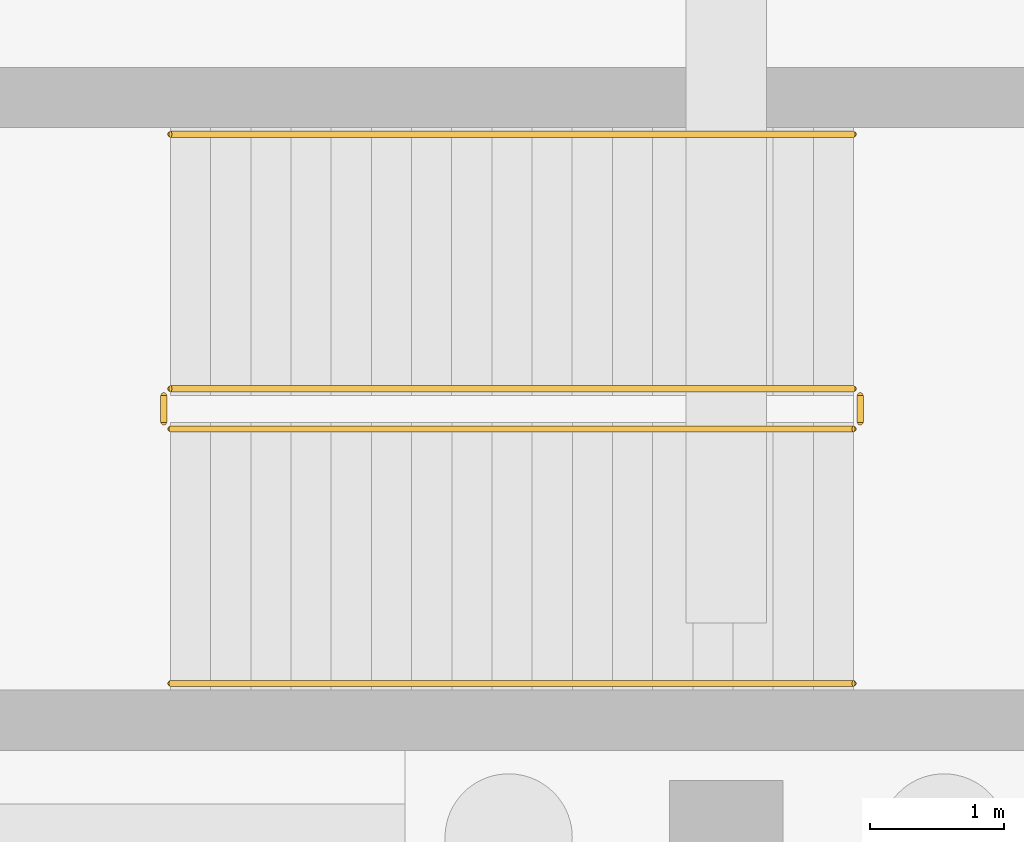
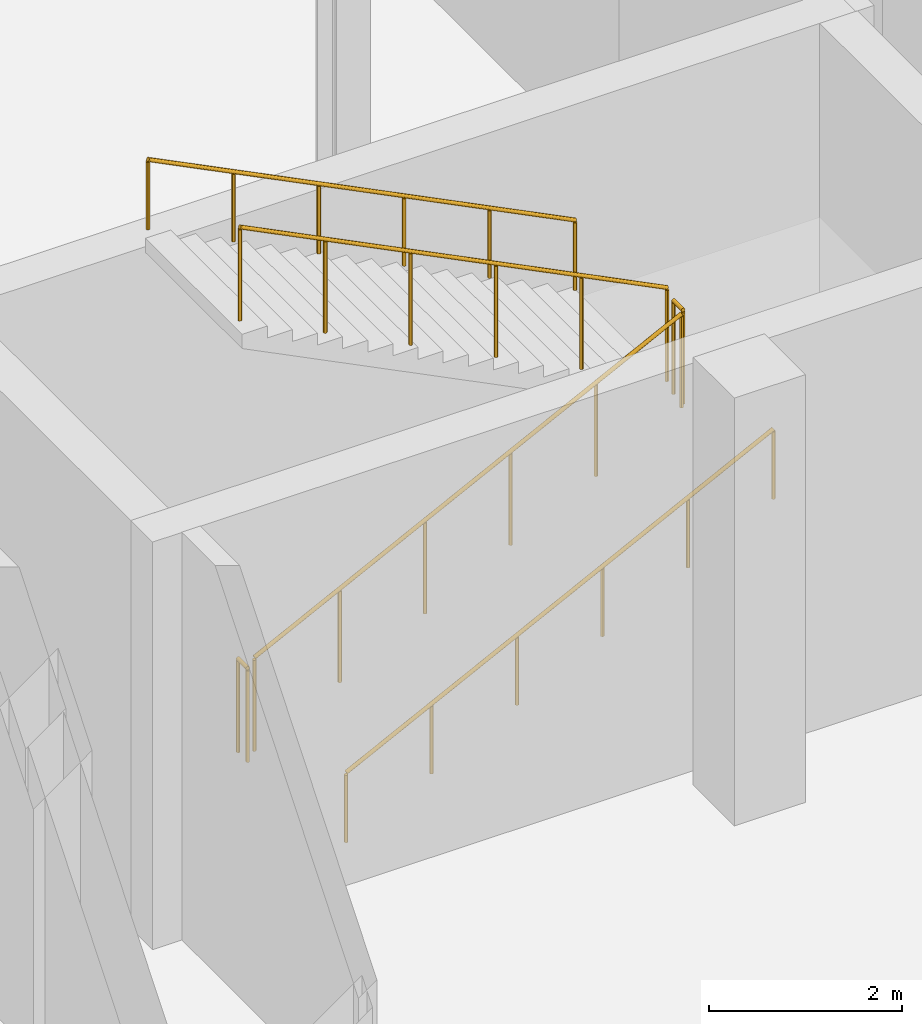
# One storey, part 40 of 49: 6 railings.
"""IFC4 building model written with IfcOpenShell, lengths in metres."""

import ifcopenshell
import ifcopenshell.guid

model = None  # the IFC model being written
_history = None  # IfcOwnerHistory: only IFC2X3 demands one
_inside = {}  # id of a spatial element -> (the spatial element, [elements in it])
_under = {}  # id of a project, library or spatial element -> (it, [spatial elements below it])
_declared = {}  # id of a project -> (the project, [libraries it declares])
_typed = {}  # id of a type object -> (the type object, [elements of that type])
_made_of = {}  # id of a material, layer set ... -> (it, [elements and type objects made of it])


def new_model(schema):
    """Start an empty IFC model of exactly this schema.

    Asked for "IFC4X3", IfcOpenShell would pick the latest addendum, in which some entities
    have other attributes; the version numbers below select the first issue.
    IFC2X3 requires an IfcOwnerHistory on every rooted entity: one is made here for all.
    """
    global model, _history
    if schema == "IFC4X3":
        model = ifcopenshell.file(schema_version=(4, 3, 0, 0))
    else:
        model = ifcopenshell.file(schema=schema)
    _inside.clear()
    _under.clear()
    _declared.clear()
    _typed.clear()
    _made_of.clear()
    _history = None
    if model.schema == "IFC2X3":
        org = make("IfcOrganization", Name="unknown")
        user = make(
            "IfcPersonAndOrganization",
            ThePerson=make("IfcPerson", FamilyName="unknown"),
            TheOrganization=org,
        )
        app = make(
            "IfcApplication",
            ApplicationDeveloper=org,
            Version="unknown",
            ApplicationFullName="unknown",
            ApplicationIdentifier="unknown",
        )
        _history = make(
            "IfcOwnerHistory",
            OwningUser=user,
            OwningApplication=app,
            ChangeAction="ADDED",
            CreationDate=0,
        )
    return model


def make(cls, **values):
    """One entity of the class cls with the attributes given. An attribute that is None is left unset."""
    return model.create_entity(
        cls, **{name: value for name, value in values.items() if value is not None}
    )


def rooted(cls, **values):
    """An entity with a GlobalId (a new one), such as an element, a storey or a relation."""
    return make(cls, GlobalId=ifcopenshell.guid.new(), OwnerHistory=_history, **values)


def si_unit(unit_type, name, prefix=None):
    """IfcSIUnit, for example si_unit("LENGTHUNIT", "METRE", prefix="MILLI")."""
    return make("IfcSIUnit", UnitType=unit_type, Prefix=prefix, Name=name)


def assignment(units):
    """IfcUnitAssignment: the units of a project."""
    return None if units is None else make("IfcUnitAssignment", Units=units)


def point(xyz):
    """IfcCartesianPoint."""
    return None if xyz is None else make("IfcCartesianPoint", Coordinates=xyz)


def direction(xyz):
    """IfcDirection."""
    return None if xyz is None else make("IfcDirection", DirectionRatios=xyz)


def frame(location, z_axis=None, x_axis=None):
    """IfcAxis2Placement3D, a coordinate frame: its origin and axes. An axis left out is left unset."""
    return make(
        "IfcAxis2Placement3D",
        Location=point(location),
        Axis=direction(z_axis),
        RefDirection=direction(x_axis),
    )


def frame_2d(location, x_axis=None):
    """IfcAxis2Placement2D, a coordinate frame in the plane: its origin and x axis."""
    return make(
        "IfcAxis2Placement2D", Location=point(location), RefDirection=direction(x_axis)
    )


def origin():
    """The frame at (0, 0, 0) with its axes left unset."""
    return frame((0.0, 0.0, 0.0))


def origin_2d():
    """The frame at (0, 0) in the plane with its x axis left unset."""
    return frame_2d((0.0, 0.0))


def place(relative_to, where):
    """IfcLocalPlacement: puts the frame where relative to a parent placement (None: the world)."""
    return make(
        "IfcLocalPlacement", PlacementRelTo=relative_to, RelativePlacement=where
    )


def context(
    kind, dimensions, precision=None, world=None, true_north=None, identifier=None
):
    """IfcGeometricRepresentationContext, for example the 3D "Model" context."""
    return make(
        "IfcGeometricRepresentationContext",
        ContextIdentifier=identifier,
        ContextType=kind,
        CoordinateSpaceDimension=dimensions,
        Precision=precision,
        WorldCoordinateSystem=world,
        TrueNorth=true_north,
    )


def subcontext(parent, identifier, kind, view, scale=None):
    """IfcGeometricRepresentationSubContext, for example "Body" below "Model"."""
    return make(
        "IfcGeometricRepresentationSubContext",
        ContextIdentifier=identifier,
        ContextType=kind,
        ParentContext=parent,
        TargetScale=scale,
        TargetView=view,
    )


def project(units=None, contexts=None):
    """IfcProject with its units and contexts."""
    return rooted(
        "IfcProject",
        Name="project",
        RepresentationContexts=contexts,
        UnitsInContext=assignment(units),
    )


def spatial(cls, under=None, at=None, **own):
    """A site, building, storey or space (cls), placed at a placement, below another one or the project."""
    s = rooted(cls, ObjectPlacement=at, **own)
    if under is not None:
        _under.setdefault(under.id(), (under, []))[1].append(s)
    return s


def profile(cls, at=None, kind="AREA", **sizes):
    """A parametric profile (cls). Its sizes go by their IFC names, for example OverallWidth=200.0."""
    return make(cls, ProfileType=kind, Position=at, **sizes)


def circle(**sizes):
    """IfcCircleProfileDef."""
    return profile("IfcCircleProfileDef", **sizes)


def extrude(swept, where, along, depth):
    """IfcExtrudedAreaSolid: the profile swept, set in the frame where, extruded along a direction by depth."""
    return make(
        "IfcExtrudedAreaSolid",
        SweptArea=swept,
        Position=where,
        ExtrudedDirection=direction(along),
        Depth=depth,
    )


def shape(context_of_items, identifier, shape_type, items):
    """IfcShapeRepresentation: the items that make up one representation, for example the "Body"."""
    return make(
        "IfcShapeRepresentation",
        ContextOfItems=context_of_items,
        RepresentationIdentifier=identifier,
        RepresentationType=shape_type,
        Items=items,
    )


def material(Name=None, Category=None):
    """IfcMaterial."""
    return make("IfcMaterial", Name=Name, Category=Category)


def made_of(thing, what):
    """Note that an element or type object is made of a material, layer set ...; save() writes the relation."""
    if what is not None:
        _made_of.setdefault(what.id(), (what, []))[1].append(thing)
    return thing


def type_object(cls, material=None, **own):
    """A type object (cls), such as IfcWallType, which elements share."""
    return made_of(rooted(cls, **own), material)


def element(
    cls,
    number,
    at=None,
    inside=None,
    cuts=None,
    type_object=None,
    material=None,
    context=None,
    identifier="Body",
    shape_type=None,
    held_by="IfcProductDefinitionShape",
    body=None,
    shapes=None,
    **own,
):
    """One element of the class cls, such as IfcWall. Its Tag is "e" and its number.

    at: its placement. inside: the storey or other place that contains it. cuts: it is an
    opening in that element (IfcRelVoidsElement). A single representation is given by context,
    identifier, shape_type and body (its items); several are given by shapes. held_by: the class
    of the entity that holds the representations. save() writes the other relations.
    """
    e = rooted(cls, Tag="e%d" % number, ObjectPlacement=at, **own)
    if body is not None:
        shapes = [shape(context, identifier, shape_type, body)]
    if shapes is not None:
        e.Representation = make(held_by, Representations=shapes)
    if inside is not None:
        _inside.setdefault(inside.id(), (inside, []))[1].append(e)
    if cuts is not None:
        rooted(
            "IfcRelVoidsElement", RelatingBuildingElement=cuts, RelatedOpeningElement=e
        )
    if type_object is not None:
        _typed.setdefault(type_object.id(), (type_object, []))[1].append(e)
    return made_of(e, material)


def aggregate(whole, parts):
    """IfcRelAggregates: a whole, such as a stair, and the parts it consists of."""
    return rooted("IfcRelAggregates", RelatingObject=whole, RelatedObjects=parts)


def save(model, path):
    """Write the relations noted so far, then the file.

    IfcRelAggregates (storeys below a building ...), IfcRelContainedInSpatialStructure (elements
    in a storey), IfcRelDefinesByType, IfcRelAssociatesMaterial and IfcRelDeclares: one each for
    every whole, place, type object, material and project.
    """
    for whole, parts in _under.values():
        aggregate(whole, parts)
    for where, things in _inside.values():
        rooted(
            "IfcRelContainedInSpatialStructure",
            RelatedElements=things,
            RelatingStructure=where,
        )
    for kind, things in _typed.values():
        rooted("IfcRelDefinesByType", RelatedObjects=things, RelatingType=kind)
    for what, things in _made_of.values():
        rooted("IfcRelAssociatesMaterial", RelatedObjects=things, RelatingMaterial=what)
    for by, libraries in _declared.values():
        rooted("IfcRelDeclares", RelatingContext=by, RelatedDefinitions=libraries)
    model.write(path)


model = new_model("IFC4")

# Units and contexts
model_context = context("Model", 3, precision=1e-05, world=origin(), true_north=direction((0.0, 1.0)))
body_context = subcontext(model_context, "Body", "Model", "MODEL_VIEW")
ifc_project = project(units=[si_unit("LENGTHUNIT", "METRE"), si_unit("AREAUNIT", "SQUARE_METRE"), si_unit("VOLUMEUNIT", "CUBIC_METRE"), si_unit("PLANEANGLEUNIT", "RADIAN"), si_unit("MASSUNIT", "GRAM", prefix="KILO"), si_unit("THERMODYNAMICTEMPERATUREUNIT", "KELVIN")], contexts=[model_context])

# Site, building, storey
site_placement = place(None, origin())
site = spatial("IfcSite", under=ifc_project, at=site_placement, CompositionType="ELEMENT")
building_placement = place(site_placement, origin())
building = spatial("IfcBuilding", under=site, at=building_placement, Name="Lustrewick Department Store", CompositionType="ELEMENT")
storey_placement = place(building_placement, frame((0.0, 0.0, -5.39990234375)))
storey = spatial("IfcBuildingStorey", under=building, at=storey_placement, Name="B1", CompositionType="ELEMENT", Elevation=-5.39990234375)

# Railings
ifc_material_1 = material(Name="Painted tubular steel stairwell guardrail", Category="steel")
railing_type_1 = type_object("IfcRailingType", Name="RL-STG", PredefinedType="GUARDRAIL", material=ifc_material_1)
railing_1_placement = place(storey_placement, frame((121.85009765625, 19.85009765625, 0.14990234375)))
element("IfcRailing", 1, at=railing_1_placement, inside=storey, type_object=railing_type_1, Name="B1 ST07 Stair Guard 1", PredefinedType="GUARDRAIL", context=body_context, shape_type="SweptSolid", body=[
    extrude(circle(Radius=0.02392578125, at=origin_2d()), frame((0.0, 0.0, 1.17578125), z_axis=(0.894418627299, 0.0, 0.447230722492), x_axis=(0.0, 1.0, 0.0)), (0.0, 0.0, 1.0), 5.701904296875),
    extrude(circle(Radius=0.02099609375, at=origin_2d()), origin(), (0.0, 0.0, 1.0), 1.15185546875),
    extrude(circle(Radius=0.02099609375, at=origin_2d()), frame((1.02001953125, 0.0, 0.510009765625)), (0.0, 0.0, 1.0), 1.15185546875),
    extrude(circle(Radius=0.02099609375, at=origin_2d()), frame((2.0400390625, 0.0, 1.02001953125)), (0.0, 0.0, 1.0), 1.15185546875),
    extrude(circle(Radius=0.02099609375, at=origin_2d()), frame((3.059814453125, 0.0, 1.530029296875)), (0.0, 0.0, 1.0), 1.15185546875),
    extrude(circle(Radius=0.02099609375, at=origin_2d()), frame((4.079833984375, 0.0, 2.0400390625)), (0.0, 0.0, 1.0), 1.15185546875),
    extrude(circle(Radius=0.02099609375, at=origin_2d()), frame((5.099853515625, 0.0, 2.550048828125)), (0.0, 0.0, 1.0), 1.15185546875),
])
railing_2_placement = place(storey_placement, frame((127.0, 19.89990234375, 2.699951171875)))
element("IfcRailing", 2, at=railing_2_placement, inside=storey, type_object=railing_type_1, Name="B1 ST07 Stair Guard 2", PredefinedType="GUARDRAIL", context=body_context, shape_type="SweptSolid", body=[
    extrude(circle(Radius=0.02392578125, at=origin_2d()), frame((0.0, 0.0, 1.17578125), z_axis=(0.0, 1.0, 0.0), x_axis=(-1.0, 0.0, 0.0)), (0.0, 0.0, 1.0), 0.2001953125),
    extrude(circle(Radius=0.02099609375, at=origin_2d()), origin(), (0.0, 0.0, 1.0), 1.15185546875),
    extrude(circle(Radius=0.02099609375, at=origin_2d()), frame((0.0, 0.2001953125, 0.0)), (0.0, 0.0, 1.0), 1.15185546875),
])
railing_3_placement = place(storey_placement, frame((126.949951171875, 20.14990234375, 2.849853515625)))
element("IfcRailing", 3, at=railing_3_placement, inside=storey, type_object=railing_type_1, Name="B1 ST07 Stair Guard 3", PredefinedType="GUARDRAIL", context=body_context, shape_type="SweptSolid", body=[
    extrude(circle(Radius=0.02392578125, at=origin_2d()), frame((0.0, 0.0, 1.17578125), z_axis=(-0.894418627299, 0.0, 0.447230722492), x_axis=(0.0, -1.0, 0.0)), (0.0, 0.0, 1.0), 5.701904296875),
    extrude(circle(Radius=0.02099609375, at=origin_2d()), origin(), (0.0, 0.0, 1.0), 1.15185546875),
    extrude(circle(Radius=0.02099609375, at=origin_2d()), frame((-1.02001953125, 0.0, 0.510009765625)), (0.0, 0.0, 1.0), 1.15185546875),
    extrude(circle(Radius=0.02099609375, at=origin_2d()), frame((-2.0400390625, 0.0, 1.02001953125)), (0.0, 0.0, 1.0), 1.15185546875),
    extrude(circle(Radius=0.02099609375, at=origin_2d()), frame((-3.059814453125, 0.0, 1.530029296875)), (0.0, 0.0, 1.0), 1.15185546875),
    extrude(circle(Radius=0.02099609375, at=origin_2d()), frame((-4.079833984375, 0.0, 2.0400390625)), (0.0, 0.0, 1.0), 1.15185546875),
    extrude(circle(Radius=0.02099609375, at=origin_2d()), frame((-5.099853515625, 0.0, 2.550048828125)), (0.0, 0.0, 1.0), 1.15185546875),
])
railing_4_placement = place(storey_placement, frame((121.800048828125, 19.89990234375, 0.0)))
element("IfcRailing", 4, at=railing_4_placement, inside=storey, type_object=railing_type_1, Name="B1 ST07 Stair Guard 4", PredefinedType="GUARDRAIL", context=body_context, shape_type="SweptSolid", body=[
    extrude(circle(Radius=0.02392578125, at=origin_2d()), frame((0.0, 0.0, 1.17578125), z_axis=(0.0, 1.0, 0.0), x_axis=(-1.0, 0.0, 0.0)), (0.0, 0.0, 1.0), 0.2001953125),
    extrude(circle(Radius=0.02099609375, at=origin_2d()), origin(), (0.0, 0.0, 1.0), 1.15185546875),
    extrude(circle(Radius=0.02099609375, at=origin_2d()), frame((0.0, 0.2001953125, 0.0)), (0.0, 0.0, 1.0), 1.15185546875),
])
ifc_material_2 = material(Name="Brushed stainless steel wall handrail", Category="steel")
railing_type_2 = type_object("IfcRailingType", Name="RL-STH", PredefinedType="HANDRAIL", material=ifc_material_2)
railing_5_placement = place(storey_placement, frame((121.85009765625, 17.949951171875, 0.14990234375)))
element("IfcRailing", 5, at=railing_5_placement, inside=storey, type_object=railing_type_2, Name="B1 ST07 Stair Handrail 1", PredefinedType="HANDRAIL", context=body_context, shape_type="SweptSolid", body=[
    extrude(circle(Radius=0.02392578125, at=origin_2d()), frame((0.0, 0.0, 0.8759765625), z_axis=(0.894418627299, 0.0, 0.447230722492), x_axis=(0.0, 1.0, 0.0)), (0.0, 0.0, 1.0), 5.701904296875),
    extrude(circle(Radius=0.02099609375, at=origin_2d()), origin(), (0.0, 0.0, 1.0), 0.851806640625),
    extrude(circle(Radius=0.02099609375, at=origin_2d()), frame((1.02001953125, 0.0, 0.510009765625)), (0.0, 0.0, 1.0), 0.851806640625),
    extrude(circle(Radius=0.02099609375, at=origin_2d()), frame((2.0400390625, 0.0, 1.02001953125)), (0.0, 0.0, 1.0), 0.851806640625),
    extrude(circle(Radius=0.02099609375, at=origin_2d()), frame((3.059814453125, 0.0, 1.530029296875)), (0.0, 0.0, 1.0), 0.851806640625),
    extrude(circle(Radius=0.02099609375, at=origin_2d()), frame((4.079833984375, 0.0, 2.0400390625)), (0.0, 0.0, 1.0), 0.851806640625),
    extrude(circle(Radius=0.02099609375, at=origin_2d()), frame((5.099853515625, 0.0, 2.550048828125)), (0.0, 0.0, 1.0), 0.851806640625),
])
railing_6_placement = place(storey_placement, frame((126.949951171875, 22.050048828125, 2.849853515625)))
element("IfcRailing", 6, at=railing_6_placement, inside=storey, type_object=railing_type_2, Name="B1 ST07 Stair Handrail 2", PredefinedType="HANDRAIL", context=body_context, shape_type="SweptSolid", body=[
    extrude(circle(Radius=0.02392578125, at=origin_2d()), frame((0.0, 0.0, 0.8759765625), z_axis=(-0.894418627299, 0.0, 0.447230722492), x_axis=(0.0, -1.0, 0.0)), (0.0, 0.0, 1.0), 5.701904296875),
    extrude(circle(Radius=0.02099609375, at=origin_2d()), origin(), (0.0, 0.0, 1.0), 0.851806640625),
    extrude(circle(Radius=0.02099609375, at=origin_2d()), frame((-1.02001953125, 0.0, 0.510009765625)), (0.0, 0.0, 1.0), 0.851806640625),
    extrude(circle(Radius=0.02099609375, at=origin_2d()), frame((-2.0400390625, 0.0, 1.02001953125)), (0.0, 0.0, 1.0), 0.851806640625),
    extrude(circle(Radius=0.02099609375, at=origin_2d()), frame((-3.059814453125, 0.0, 1.530029296875)), (0.0, 0.0, 1.0), 0.851806640625),
    extrude(circle(Radius=0.02099609375, at=origin_2d()), frame((-4.079833984375, 0.0, 2.0400390625)), (0.0, 0.0, 1.0), 0.851806640625),
    extrude(circle(Radius=0.02099609375, at=origin_2d()), frame((-5.099853515625, 0.0, 2.550048828125)), (0.0, 0.0, 1.0), 0.851806640625),
])

save(model, "model.ifc")
